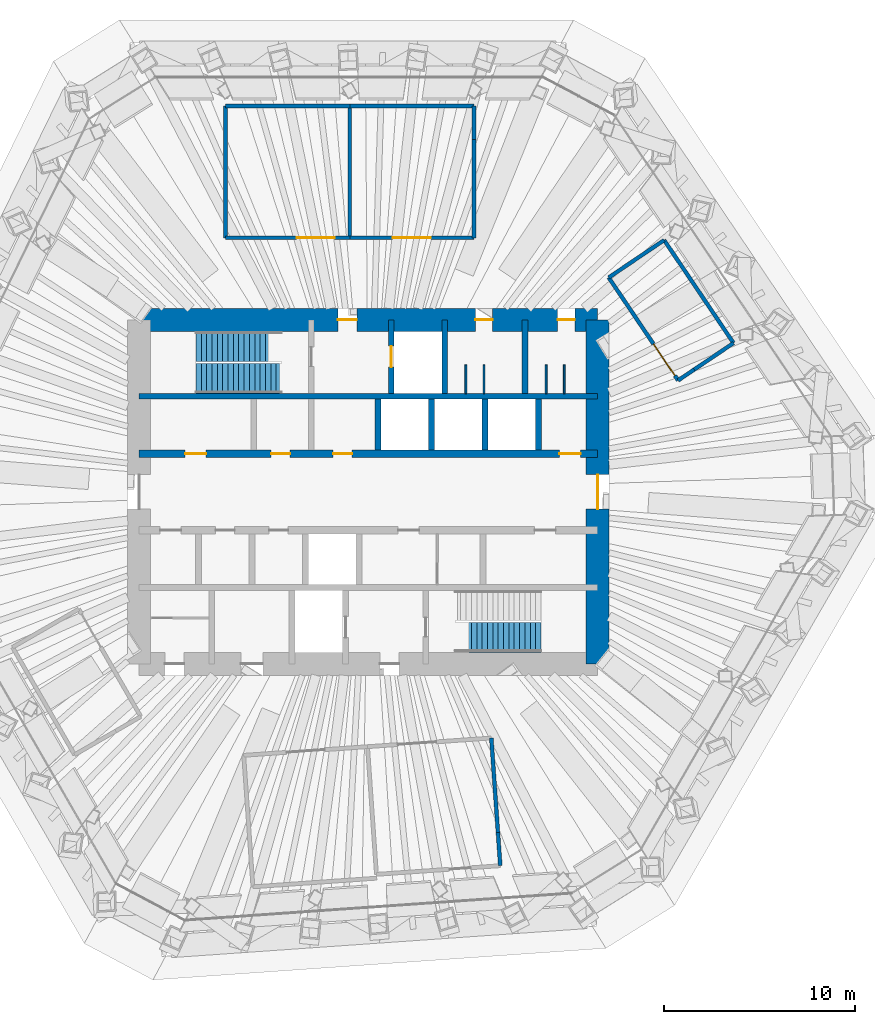
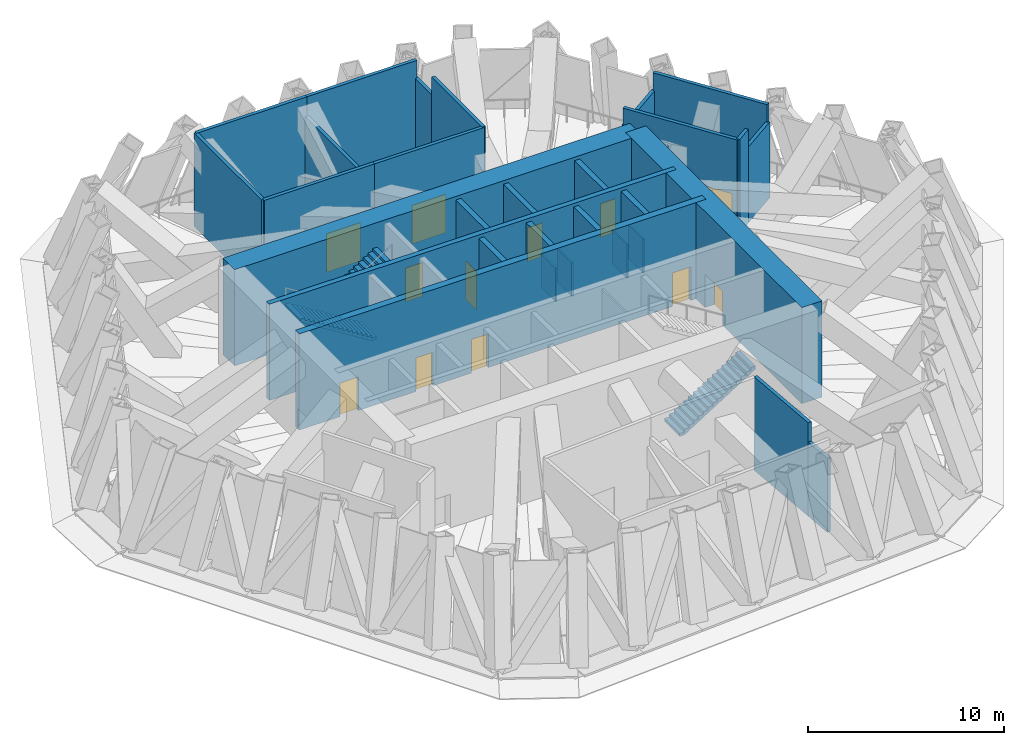
# One storey, part 8 of 12: 30 walls, 12 doors, 3 stair flights, 12 openings, 2 elements without a shape of their own.
"""IFC4 building model written with IfcOpenShell, lengths in metres."""

from ifc_helpers import new_model, si_unit, direction, frame, frame_2d, origin, place, context, subcontext, project, spatial, polyline, rectangle, outline, extrude, material, layer, layer_set, type_object, element, fill, aggregate, save


model = new_model("IFC4")

# Units and contexts
model_context = context("Model", 3, precision=1e-05, world=origin(), true_north=direction((0.0, 1.0)))
body_context = subcontext(model_context, "Body", "Model", "MODEL_VIEW")
ifc_project = project(units=[si_unit("LENGTHUNIT", "METRE"), si_unit("AREAUNIT", "SQUARE_METRE"), si_unit("VOLUMEUNIT", "CUBIC_METRE"), si_unit("PLANEANGLEUNIT", "RADIAN"), si_unit("MASSUNIT", "GRAM", prefix="KILO")], contexts=[model_context])

# Site, building, storey
site_placement = place(None, origin())
site = spatial("IfcSite", under=ifc_project, at=site_placement, CompositionType="ELEMENT")
building_placement = place(site_placement, origin())
building = spatial("IfcBuilding", under=site, at=building_placement, Name="Qingtian Harvest Tower", CompositionType="ELEMENT")
storey_placement = place(building_placement, frame((0.0, 0.0, 256.0)))
storey = spatial("IfcBuildingStorey", under=building, at=storey_placement, Name="L56", CompositionType="ELEMENT", Elevation=256.0)

# Wall
ifc_material_1 = material(Name="Concrete fc' 70 MPa", Category="concrete")
ifc_layer_1 = layer(ifc_material_1, 0.300048828125)
ifc_layer_set_1 = layer_set([ifc_layer_1], Name="Core inner wall RC5 300")
wall_type_1 = type_object("IfcWallType", Name="Core inner wall RC5 300", PredefinedType="SHEAR", material=ifc_layer_set_1)
wall_1_placement = place(storey_placement, frame((-12.0, 5.0, 0.0), z_axis=(0.0, 0.0, 1.0), x_axis=(1.0, 0.0, 0.0)))
element("IfcWall", 1, at=wall_1_placement, inside=storey, type_object=wall_type_1, Name="Core wall IN5 L56", PredefinedType="SHEAR", context=body_context, shape_type="SweptSolid", body=[
    extrude(rectangle(XDim=24.0, YDim=0.300048828125, at=frame_2d((12.0, 0.0))), origin(), (0.0, 0.0, 1.0), 6.0),
])

# Wall, openings, doors
ifc_material_2 = material(Name="Concrete fc' 70 MPa", Category="concrete")
ifc_layer_2 = layer(ifc_material_2, 0.39990234375)
ifc_layer_set_2 = layer_set([ifc_layer_2], Name="Core inner web RC6 400")
wall_type_2 = type_object("IfcWallType", Name="Core inner web RC6 400", PredefinedType="SHEAR", material=ifc_layer_set_2)
wall_2_placement = place(storey_placement, frame((-12.0, 2.0, 0.0), z_axis=(0.0, 0.0, 1.0), x_axis=(1.0, 0.0, 0.0)))
wall_2 = element("IfcWall", 2, at=wall_2_placement, inside=storey, type_object=wall_type_2, Name="Core wall IN2 L56", PredefinedType="SHEAR", context=body_context, shape_type="SweptSolid", body=[
    extrude(rectangle(XDim=24.0, YDim=0.39990234375, at=frame_2d((12.0, 0.0))), origin(), (0.0, 0.0, 1.0), 6.0),
])
opening_1_placement = place(wall_2_placement, frame((2.39990234375, 0.0, 0.0)))
opening_1 = element("IfcOpeningElement", 3, at=opening_1_placement, cuts=wall_2, Name="Opening FD4", PredefinedType="OPENING", context=body_context, shape_type="SweptSolid", body=[
    extrude(rectangle(XDim=1.10009765625, YDim=2.10009765625, at=frame_2d((0.550048828125, 1.050048828125))), frame((0.0, 0.2099609375, 0.0), z_axis=(0.0, -1.0, 0.0), x_axis=(1.0, 0.0, 0.0)), (0.0, 0.0, 1.0), 0.419921875),
])
opening_2_placement = place(wall_2_placement, frame((22.0, 0.0, 0.0)))
opening_2 = element("IfcOpeningElement", 4, at=opening_2_placement, cuts=wall_2, Name="Opening FD4", PredefinedType="OPENING", context=body_context, shape_type="SweptSolid", body=[
    extrude(rectangle(XDim=1.10009765625, YDim=2.10009765625, at=frame_2d((0.550048828125, 1.050048828125))), frame((0.0, 0.2099609375, 0.0), z_axis=(0.0, -1.0, 0.0), x_axis=(1.0, 0.0, 0.0)), (0.0, 0.0, 1.0), 0.419921875),
])
opening_3_placement = place(wall_2_placement, frame((10.14990234375, 0.0, 0.0)))
opening_3 = element("IfcOpeningElement", 5, at=opening_3_placement, cuts=wall_2, Name="Opening FD1", PredefinedType="OPENING", context=body_context, shape_type="SweptSolid", body=[
    extrude(rectangle(XDim=1.0, YDim=2.10009765625, at=frame_2d((0.5, 1.050048828125))), frame((0.0, 0.2099609375, 0.0), z_axis=(0.0, -1.0, 0.0), x_axis=(1.0, 0.0, 0.0)), (0.0, 0.0, 1.0), 0.419921875),
])
opening_4_placement = place(wall_2_placement, frame((6.89990234375, 0.0, 0.0)))
opening_4 = element("IfcOpeningElement", 6, at=opening_4_placement, cuts=wall_2, Name="Opening FD1", PredefinedType="OPENING", context=body_context, shape_type="SweptSolid", body=[
    extrude(rectangle(XDim=1.0, YDim=2.10009765625, at=frame_2d((0.5, 1.050048828125))), frame((0.0, 0.2099609375, 0.0), z_axis=(0.0, -1.0, 0.0), x_axis=(1.0, 0.0, 0.0)), (0.0, 0.0, 1.0), 0.419921875),
])
ifc_material_3 = material(Name="Steel-faced door leaf", Category="steel")
door_type_1 = type_object("IfcDoorType", Name="Fire door FD1 single 1 HR", OperationType="SINGLE_SWING_LEFT", PredefinedType="DOOR", material=ifc_material_3)
door_1_placement = place(opening_3_placement, origin())
door_1 = element("IfcDoor", 7, at=door_1_placement, inside=storey, type_object=door_type_1, Name="STA door L56", OperationType="SINGLE_SWING_RIGHT", OverallHeight=2.10009765625, OverallWidth=1.0, PredefinedType="DOOR", context=body_context, shape_type="SweptSolid", body=[
    extrude(rectangle(XDim=1.0, YDim=2.10009765625, at=frame_2d((0.5, 1.050048828125))), frame((0.0, 0.02490234375, 0.0), z_axis=(0.0, -1.0, 0.0), x_axis=(1.0, 0.0, 0.0)), (0.0, 0.0, 1.0), 0.050048828125),
])
fill(opening_3, door_1)
door_2_placement = place(opening_4_placement, origin())
door_2 = element("IfcDoor", 8, at=door_2_placement, inside=storey, type_object=door_type_1, Name="Spares store door L56", OperationType="SINGLE_SWING_LEFT", OverallHeight=2.10009765625, OverallWidth=1.0, PredefinedType="DOOR", context=body_context, shape_type="SweptSolid", body=[
    extrude(rectangle(XDim=1.0, YDim=2.10009765625, at=frame_2d((0.5, 1.050048828125))), frame((0.0, 0.02490234375, 0.0), z_axis=(0.0, -1.0, 0.0), x_axis=(1.0, 0.0, 0.0)), (0.0, 0.0, 1.0), 0.050048828125),
])
fill(opening_4, door_2)
ifc_material_4 = material(Name="Steel-faced door leaf", Category="steel")
door_type_2 = type_object("IfcDoorType", Name="Fire door FD4 single 2 HR", OperationType="SINGLE_SWING_LEFT", PredefinedType="DOOR", material=ifc_material_4)
door_3_placement = place(opening_1_placement, origin())
door_3 = element("IfcDoor", 9, at=door_3_placement, inside=storey, type_object=door_type_2, Name="RA door L56", OperationType="SINGLE_SWING_RIGHT", OverallHeight=2.10009765625, OverallWidth=1.10009765625, PredefinedType="DOOR", context=body_context, shape_type="SweptSolid", body=[
    extrude(rectangle(XDim=1.10009765625, YDim=2.10009765625, at=frame_2d((0.550048828125, 1.050048828125))), frame((0.0, 0.02490234375, 0.0), z_axis=(0.0, -1.0, 0.0), x_axis=(1.0, 0.0, 0.0)), (0.0, 0.0, 1.0), 0.050048828125),
])
fill(opening_1, door_3)
door_4_placement = place(opening_2_placement, origin())
door_4 = element("IfcDoor", 10, at=door_4_placement, inside=storey, type_object=door_type_2, Name="AHU door L56", OperationType="SINGLE_SWING_LEFT", OverallHeight=2.10009765625, OverallWidth=1.10009765625, PredefinedType="DOOR", context=body_context, shape_type="SweptSolid", body=[
    extrude(rectangle(XDim=1.10009765625, YDim=2.10009765625, at=frame_2d((0.550048828125, 1.050048828125))), frame((0.0, 0.02490234375, 0.0), z_axis=(0.0, -1.0, 0.0), x_axis=(1.0, 0.0, 0.0)), (0.0, 0.0, 1.0), 0.050048828125),
])
fill(opening_2, door_4)

# Wall, opening, door
ifc_material_5 = material(Name="Precast concrete shaft panel", Category="concrete")
ifc_layer_3 = layer(ifc_material_5, 0.300048828125)
ifc_layer_set_3 = layer_set([ifc_layer_3], Name="Core shaft partition SW1 300")
wall_type_3 = type_object("IfcWallType", Name="Core shaft partition SW1 300", PredefinedType="PARTITIONING", material=ifc_layer_set_3)
wall_3_placement = place(storey_placement, frame((1.199951171875, 5.14990234375, 0.0), z_axis=(0.0, 0.0, 1.0), x_axis=(0.0, 1.0, 0.0)))
wall_3 = element("IfcWall", 11, at=wall_3_placement, inside=storey, type_object=wall_type_3, Name="Core shaft partition XN2 L56", PredefinedType="PARTITIONING", context=body_context, shape_type="SweptSolid", body=[
    extrude(rectangle(XDim=3.85009765625, YDim=0.300048828125, at=frame_2d((1.925048828125, 0.0))), origin(), (0.0, 0.0, 1.0), 5.780029296875),
])
opening_5_placement = place(wall_3_placement, frame((1.375, 0.0, 0.0)))
opening_5 = element("IfcOpeningElement", 12, at=opening_5_placement, cuts=wall_3, Name="Opening LD1", PredefinedType="OPENING", context=body_context, shape_type="SweptSolid", body=[
    extrude(rectangle(XDim=1.10009765625, YDim=2.39990234375, at=frame_2d((0.550048828125, 1.199951171875))), frame((0.0, 0.159912109375, 0.0), z_axis=(0.0, -1.0, 0.0), x_axis=(1.0, 0.0, 0.0)), (0.0, 0.0, 1.0), 0.320068359375),
])
ifc_material_6 = material(Name="Stainless steel lift landing door", Category="steel")
door_type_3 = type_object("IfcDoorType", Name="Lift landing door LD1 1 HR", OperationType="DOUBLE_DOOR_SLIDING", PredefinedType="DOOR", material=ifc_material_6)
door_5_placement = place(opening_5_placement, origin())
door_5 = element("IfcDoor", 13, at=door_5_placement, inside=storey, type_object=door_type_3, Name="FL1 landing door L56", OperationType="DOUBLE_DOOR_SLIDING", OverallHeight=2.39990234375, OverallWidth=1.10009765625, PredefinedType="DOOR", context=body_context, shape_type="SweptSolid", body=[
    extrude(rectangle(XDim=1.10009765625, YDim=2.39990234375, at=frame_2d((0.550048828125, 1.199951171875))), frame((0.0, 0.02490234375, 0.0), z_axis=(0.0, -1.0, 0.0), x_axis=(1.0, 0.0, 0.0)), (0.0, 0.0, 1.0), 0.050048828125),
])
fill(opening_5, door_5)

# Walls
for number, where, z_axis, x_axis, name in (
    (14, (4.0, 5.14990234375, 0.0), (0.0, 0.0, 1.0), (0.0, 1.0, 0.0), "Core shaft partition XN3 L56"),
    (15, (8.199951171875, 5.14990234375, 0.0), (0.0, 0.0, 1.0), (0.0, 1.0, 0.0), "Core shaft partition XN4 L56"),
):
    element("IfcWall", number, at=place(storey_placement, frame(where, z_axis=z_axis, x_axis=x_axis)), inside=storey, type_object=wall_type_3, Name=name, PredefinedType="PARTITIONING", context=body_context, shape_type="SweptSolid", body=[
        extrude(rectangle(XDim=3.85009765625, YDim=0.300048828125, at=frame_2d((1.925048828125, 0.0))), origin(), (0.0, 0.0, 1.0), 5.780029296875),
    ])
for number, where, z_axis, x_axis, name in (
    (16, (0.5, 2.199951171875, 0.0), (0.0, 0.0, 1.0), (0.0, 1.0, 0.0), "Core shaft partition XA3 L56"),
    (17, (3.300048828125, 2.199951171875, 0.0), (0.0, 0.0, 1.0), (0.0, 1.0, 0.0), "Core shaft partition XA4 L56"),
    (18, (6.10009765625, 2.199951171875, 0.0), (0.0, 0.0, 1.0), (0.0, 1.0, 0.0), "Core shaft partition XA5 L56"),
    (19, (8.89990234375, 2.199951171875, 0.0), (0.0, 0.0, 1.0), (0.0, 1.0, 0.0), "Core shaft partition XA6 L56"),
):
    element("IfcWall", number, at=place(storey_placement, frame(where, z_axis=z_axis, x_axis=x_axis)), inside=storey, type_object=wall_type_3, Name=name, PredefinedType="PARTITIONING", context=body_context, shape_type="SweptSolid", body=[
        extrude(rectangle(XDim=2.650146484375, YDim=0.300048828125, at=frame_2d((1.3251953125, 0.0))), origin(), (0.0, 0.0, 1.0), 5.780029296875),
    ])

# Wall, openings, doors
ifc_material_7 = material(Name="Concrete fc' 70 MPa", Category="concrete")
ifc_layer_4 = layer(ifc_material_7, 1.199951171875)
ifc_layer_set_4 = layer_set([ifc_layer_4], Name="Core wall RC2 1200")
wall_type_4 = type_object("IfcWallType", Name="Core wall RC2 1200", PredefinedType="SHEAR", material=ifc_layer_set_4)
wall_4_placement = place(storey_placement, frame((-12.0, 9.0, 0.0), z_axis=(0.0, 0.0, 1.0), x_axis=(1.0, 0.0, 0.0)))
wall_4 = element("IfcWall", 20, at=wall_4_placement, inside=storey, type_object=wall_type_4, Name="Core wall CN L56", PredefinedType="SHEAR", context=body_context, shape_type="SweptSolid", body=[
    extrude(rectangle(XDim=24.0, YDim=1.199951171875, at=frame_2d((12.0, 0.0))), origin(), (0.0, 0.0, 1.0), 6.0),
])
opening_6_placement = place(wall_4_placement, frame((10.39990234375, 0.0, 0.0)))
opening_6 = element("IfcOpeningElement", 21, at=opening_6_placement, cuts=wall_4, Name="Opening FD1", PredefinedType="OPENING", context=body_context, shape_type="SweptSolid", body=[
    extrude(rectangle(XDim=1.0, YDim=2.10009765625, at=frame_2d((0.5, 1.050048828125))), frame((0.0, 0.60986328125, 0.0), z_axis=(0.0, -1.0, 0.0), x_axis=(1.0, 0.0, 0.0)), (0.0, 0.0, 1.0), 1.219970703125),
])
opening_7_placement = place(wall_4_placement, frame((17.60009765625, 0.0, 0.0)))
opening_7 = element("IfcOpeningElement", 22, at=opening_7_placement, cuts=wall_4, Name="Opening D1", PredefinedType="OPENING", context=body_context, shape_type="SweptSolid", body=[
    extrude(rectangle(XDim=0.89990234375, YDim=2.10009765625, at=frame_2d((0.449951171875, 1.050048828125))), frame((0.0, 0.60986328125, 0.0), z_axis=(0.0, -1.0, 0.0), x_axis=(1.0, 0.0, 0.0)), (0.0, 0.0, 1.0), 1.219970703125),
])
opening_8_placement = place(wall_4_placement, frame((21.89990234375, 0.0, 0.0)))
opening_8 = element("IfcOpeningElement", 23, at=opening_8_placement, cuts=wall_4, Name="Opening D1", PredefinedType="OPENING", context=body_context, shape_type="SweptSolid", body=[
    extrude(rectangle(XDim=0.89990234375, YDim=2.10009765625, at=frame_2d((0.449951171875, 1.050048828125))), frame((0.0, 0.60986328125, 0.0), z_axis=(0.0, -1.0, 0.0), x_axis=(1.0, 0.0, 0.0)), (0.0, 0.0, 1.0), 1.219970703125),
])
door_6_placement = place(opening_6_placement, origin())
door_6 = element("IfcDoor", 24, at=door_6_placement, inside=storey, type_object=door_type_1, Name="V1 door L56", OperationType="SINGLE_SWING_RIGHT", OverallHeight=2.10009765625, OverallWidth=1.0, PredefinedType="DOOR", context=body_context, shape_type="SweptSolid", body=[
    extrude(rectangle(XDim=1.0, YDim=2.10009765625, at=frame_2d((0.5, 1.050048828125))), frame((0.0, 0.02490234375, 0.0), z_axis=(0.0, -1.0, 0.0), x_axis=(1.0, 0.0, 0.0)), (0.0, 0.0, 1.0), 0.050048828125),
])
fill(opening_6, door_6)
ifc_material_8 = material(Name="Laminated timber door leaf", Category="wood")
door_type_4 = type_object("IfcDoorType", Name="Toilet door D1 single", OperationType="SINGLE_SWING_LEFT", PredefinedType="DOOR", material=ifc_material_8)
door_7_placement = place(opening_7_placement, origin())
door_7 = element("IfcDoor", 25, at=door_7_placement, inside=storey, type_object=door_type_4, Name="WCM door L56", OperationType="SINGLE_SWING_RIGHT", OverallHeight=2.10009765625, OverallWidth=0.89990234375, PredefinedType="DOOR", context=body_context, shape_type="SweptSolid", body=[
    extrude(rectangle(XDim=0.89990234375, YDim=2.10009765625, at=frame_2d((0.449951171875, 1.050048828125))), frame((0.0, 0.02490234375, 0.0), z_axis=(0.0, -1.0, 0.0), x_axis=(1.0, 0.0, 0.0)), (0.0, 0.0, 1.0), 0.050048828125),
])
fill(opening_7, door_7)
door_8_placement = place(opening_8_placement, origin())
door_8 = element("IfcDoor", 26, at=door_8_placement, inside=storey, type_object=door_type_4, Name="WCF door L56", OperationType="SINGLE_SWING_RIGHT", OverallHeight=2.10009765625, OverallWidth=0.89990234375, PredefinedType="DOOR", context=body_context, shape_type="SweptSolid", body=[
    extrude(rectangle(XDim=0.89990234375, YDim=2.10009765625, at=frame_2d((0.449951171875, 1.050048828125))), frame((0.0, 0.02490234375, 0.0), z_axis=(0.0, -1.0, 0.0), x_axis=(1.0, 0.0, 0.0)), (0.0, 0.0, 1.0), 0.050048828125),
])
fill(opening_8, door_8)

# Wall, opening, door
wall_5_placement = place(storey_placement, frame((12.0, -9.0, 0.0), z_axis=(0.0, 0.0, 1.0), x_axis=(0.0, 1.0, 0.0)))
wall_5 = element("IfcWall", 27, at=wall_5_placement, inside=storey, type_object=wall_type_4, Name="Core wall CE L56", PredefinedType="SHEAR", context=body_context, shape_type="SweptSolid", body=[
    extrude(rectangle(XDim=18.0, YDim=1.199951171875, at=frame_2d((9.0, 0.0))), origin(), (0.0, 0.0, 1.0), 6.0),
])
opening_9_placement = place(wall_5_placement, frame((8.10009765625, 0.0, 0.0)))
opening_9 = element("IfcOpeningElement", 28, at=opening_9_placement, cuts=wall_5, Name="Opening FD2", PredefinedType="OPENING", context=body_context, shape_type="SweptSolid", body=[
    extrude(rectangle(XDim=1.800048828125, YDim=2.10009765625, at=frame_2d((0.89990234375, 1.050048828125))), frame((0.0, 0.60986328125, 0.0), z_axis=(0.0, -1.0, 0.0), x_axis=(1.0, 0.0, 0.0)), (0.0, 0.0, 1.0), 1.219970703125),
])
ifc_material_9 = material(Name="Steel-faced door leaf", Category="steel")
door_type_5 = type_object("IfcDoorType", Name="Fire door FD2 double 1 HR", OperationType="DOUBLE_DOOR_DOUBLE_SWING", PredefinedType="DOOR", material=ifc_material_9)
door_9_placement = place(opening_9_placement, origin())
door_9 = element("IfcDoor", 29, at=door_9_placement, inside=storey, type_object=door_type_5, Name="LOBBY-E door L56", OperationType="DOUBLE_DOOR_DOUBLE_SWING", OverallHeight=2.10009765625, OverallWidth=1.800048828125, PredefinedType="DOOR", context=body_context, shape_type="SweptSolid", body=[
    extrude(rectangle(XDim=1.800048828125, YDim=2.10009765625, at=frame_2d((0.89990234375, 1.050048828125))), frame((0.0, 0.02490234375, 0.0), z_axis=(0.0, -1.0, 0.0), x_axis=(1.0, 0.0, 0.0)), (0.0, 0.0, 1.0), 0.050048828125),
])
fill(opening_9, door_9)

# Walls
ifc_material_10 = material(Name="Blockwork fire wall", Category="masonry")
ifc_layer_5 = layer(ifc_material_10, 0.199951171875)
ifc_layer_set_5 = layer_set([ifc_layer_5], Name="Fire partition FW1 200")
wall_type_5 = type_object("IfcWallType", Name="Fire partition FW1 200", PredefinedType="PARTITIONING", material=ifc_layer_set_5)
wall_6_placement = place(storey_placement, frame((-7.47412109375, 20.199951171875, 0.0), z_axis=(0.0, 0.0, 1.0), x_axis=(0.0, -1.0, 0.0)))
element("IfcWall", 30, at=wall_6_placement, inside=storey, type_object=wall_type_5, Name="Chilled water plant room wall L56", PredefinedType="PARTITIONING", context=body_context, shape_type="SweptSolid", body=[
    extrude(rectangle(XDim=6.89990234375, YDim=0.199951171875, at=frame_2d((3.449951171875, 0.0))), origin(), (0.0, 0.0, 1.0), 5.830078125),
])
wall_7_placement = place(storey_placement, frame((-0.978271484375, 20.199951171875, 0.0), z_axis=(0.0, 0.0, 1.0), x_axis=(0.0, -1.0, 0.0)))
element("IfcWall", 31, at=wall_7_placement, inside=storey, type_object=wall_type_5, Name="Chilled water plant room wall L56", PredefinedType="PARTITIONING", context=body_context, shape_type="SweptSolid", body=[
    extrude(rectangle(XDim=6.89990234375, YDim=0.199951171875, at=frame_2d((3.449951171875, 0.0))), origin(), (0.0, 0.0, 1.0), 4.6298828125),
])

# Wall, opening, door
wall_8_placement = place(storey_placement, frame((-7.47412109375, 13.300048828125, 0.0), z_axis=(0.0, 0.0, 1.0), x_axis=(1.0, 0.0, 0.0)))
wall_8 = element("IfcWall", 32, at=wall_8_placement, inside=storey, type_object=wall_type_5, Name="Chilled water plant room wall L56", PredefinedType="PARTITIONING", context=body_context, shape_type="SweptSolid", body=[
    extrude(rectangle(XDim=6.495849609375, YDim=0.199951171875, at=frame_2d((3.248046875, 0.0))), origin(), (0.0, 0.0, 1.0), 5.830078125),
])
opening_10_placement = place(wall_8_placement, frame((3.709716796875, 0.0, 0.0)))
opening_10 = element("IfcOpeningElement", 33, at=opening_10_placement, cuts=wall_8, Name="Opening FD3", PredefinedType="OPENING", context=body_context, shape_type="SweptSolid", body=[
    extrude(rectangle(XDim=2.0, YDim=2.39990234375, at=frame_2d((1.0, 1.199951171875))), frame((0.0, 0.10986328125, 0.0), z_axis=(0.0, -1.0, 0.0), x_axis=(1.0, 0.0, 0.0)), (0.0, 0.0, 1.0), 0.219970703125),
])
ifc_material_11 = material(Name="Steel-faced door leaf", Category="steel")
door_type_6 = type_object("IfcDoorType", Name="Fire door FD3 double 2 HR", OperationType="DOUBLE_DOOR_DOUBLE_SWING", PredefinedType="DOOR", material=ifc_material_11)
door_10_placement = place(opening_10_placement, origin())
door_10 = element("IfcDoor", 34, at=door_10_placement, inside=storey, type_object=door_type_6, Name="Chilled water plant room door L56", OperationType="DOUBLE_DOOR_DOUBLE_SWING", OverallHeight=2.39990234375, OverallWidth=2.0, PredefinedType="DOOR", context=body_context, shape_type="SweptSolid", body=[
    extrude(rectangle(XDim=2.0, YDim=2.39990234375, at=frame_2d((1.0, 1.199951171875))), frame((0.0, 0.02490234375, 0.0), z_axis=(0.0, -1.0, 0.0), x_axis=(1.0, 0.0, 0.0)), (0.0, 0.0, 1.0), 0.050048828125),
])
fill(opening_10, door_10)

# Wall
wall_9_placement = place(storey_placement, frame((5.517822265625, 20.199951171875, 0.0), z_axis=(0.0, 0.0, 1.0), x_axis=(0.0, -1.0, 0.0)))
element("IfcWall", 35, at=wall_9_placement, inside=storey, type_object=wall_type_5, Name="Heat exchanger plant room wall L56", PredefinedType="PARTITIONING", context=body_context, shape_type="SweptSolid", body=[
    extrude(rectangle(XDim=1.744873046875, YDim=0.199951171875, at=frame_2d((0.87255859375, 0.0))), origin(), (0.0, 0.0, 1.0), 4.72998046875),
])

# Wall, opening, door
wall_10_placement = place(storey_placement, frame((-0.978271484375, 13.300048828125, 0.0), z_axis=(0.0, 0.0, 1.0), x_axis=(1.0, 0.0, 0.0)))
wall_10 = element("IfcWall", 36, at=wall_10_placement, inside=storey, type_object=wall_type_5, Name="Heat exchanger plant room wall L56", PredefinedType="PARTITIONING", context=body_context, shape_type="SweptSolid", body=[
    extrude(rectangle(XDim=6.49609375, YDim=0.199951171875, at=frame_2d((3.248046875, 0.0))), origin(), (0.0, 0.0, 1.0), 5.830078125),
])
opening_11_placement = place(wall_10_placement, frame((2.248046875, 0.0, 0.0)))
opening_11 = element("IfcOpeningElement", 37, at=opening_11_placement, cuts=wall_10, Name="Opening FD3", PredefinedType="OPENING", context=body_context, shape_type="SweptSolid", body=[
    extrude(rectangle(XDim=2.0, YDim=2.39990234375, at=frame_2d((1.0, 1.199951171875))), frame((0.0, 0.10986328125, 0.0), z_axis=(0.0, -1.0, 0.0), x_axis=(1.0, 0.0, 0.0)), (0.0, 0.0, 1.0), 0.219970703125),
])
door_11_placement = place(opening_11_placement, origin())
door_11 = element("IfcDoor", 38, at=door_11_placement, inside=storey, type_object=door_type_6, Name="Heat exchanger plant room door L56", OperationType="DOUBLE_DOOR_DOUBLE_SWING", OverallHeight=2.39990234375, OverallWidth=2.0, PredefinedType="DOOR", context=body_context, shape_type="SweptSolid", body=[
    extrude(rectangle(XDim=2.0, YDim=2.39990234375, at=frame_2d((1.0, 1.199951171875))), frame((0.0, 0.02490234375, 0.0), z_axis=(0.0, -1.0, 0.0), x_axis=(1.0, 0.0, 0.0)), (0.0, 0.0, 1.0), 0.050048828125),
])
fill(opening_11, door_11)

# Walls
wall_11_placement = place(storey_placement, frame((6.899658203125, -19.56640625, 0.0), z_axis=(0.0, 0.0, 1.0), x_axis=(-0.069812387455, 0.997560138818, 0.0)))
element("IfcWall", 39, at=wall_11_placement, inside=storey, type_object=wall_type_5, Name="Pump plant room wall L56", PredefinedType="PARTITIONING", context=body_context, shape_type="SweptSolid", body=[
    extrude(rectangle(XDim=1.741455078125, YDim=0.199951171875, at=frame_2d((0.87060546875, 0.0))), origin(), (0.0, 0.0, 1.0), 4.6298828125),
])
wall_12_placement = place(storey_placement, frame((15.477294921875, 13.177490234375, 0.0), z_axis=(0.0, 0.0, 1.0), x_axis=(-0.82902249413, -0.559215257505, 0.0)))
element("IfcWall", 40, at=wall_12_placement, inside=storey, type_object=wall_type_5, Name="Water tank room wall L56", PredefinedType="PARTITIONING", context=body_context, shape_type="SweptSolid", body=[
    extrude(rectangle(XDim=3.5, YDim=0.199951171875, at=frame_2d((1.75, 0.0))), origin(), (0.0, 0.0, 1.0), 4.72998046875),
])
wall_13_placement = place(storey_placement, frame((19.10986328125, 7.7919921875, 0.0), z_axis=(0.0, 0.0, 1.0), x_axis=(-0.829029753585, -0.559204495396, 0.0)))
element("IfcWall", 41, at=wall_13_placement, inside=storey, type_object=wall_type_5, Name="Water tank room wall L56", PredefinedType="PARTITIONING", context=body_context, shape_type="SweptSolid", body=[
    extrude(rectangle(XDim=2.484619140625, YDim=0.199951171875, at=frame_2d((1.2421875, 0.0))), origin(), (0.0, 0.0, 1.0), 4.72998046875),
])

# Wall, opening, door
wall_14_placement = place(storey_placement, frame((12.57568359375, 11.22021484375, 0.0), z_axis=(0.0, 0.0, 1.0), x_axis=(0.559193332958, -0.829037282862, 0.0)))
wall_14 = element("IfcWall", 42, at=wall_14_placement, inside=storey, type_object=wall_type_5, Name="Water tank room wall L56", PredefinedType="PARTITIONING", context=body_context, shape_type="SweptSolid", body=[
    extrude(rectangle(XDim=6.49609375, YDim=0.199951171875, at=frame_2d((3.248046875, 0.0))), origin(), (0.0, 0.0, 1.0), 5.830078125),
])
opening_12_placement = place(wall_14_placement, frame((4.19677734375, 0.0, 0.0)))
opening_12 = element("IfcOpeningElement", 43, at=opening_12_placement, cuts=wall_14, Name="Opening FD3", PredefinedType="OPENING", context=body_context, shape_type="SweptSolid", body=[
    extrude(rectangle(XDim=2.0, YDim=2.39990234375, at=frame_2d((1.0, 1.199951171875))), frame((0.0, 0.10986328125, 0.0), z_axis=(0.0, -1.0, 0.0), x_axis=(1.0, 0.0, 0.0)), (0.0, 0.0, 1.0), 0.219970703125),
])
door_12_placement = place(opening_12_placement, origin())
door_12 = element("IfcDoor", 44, at=door_12_placement, inside=storey, type_object=door_type_6, Name="Water tank room door L56", OperationType="DOUBLE_DOOR_DOUBLE_SWING", OverallHeight=2.39990234375, OverallWidth=2.0, PredefinedType="DOOR", context=body_context, shape_type="SweptSolid", body=[
    extrude(rectangle(XDim=2.0, YDim=2.39990234375, at=frame_2d((1.0, 1.199951171875))), frame((0.0, 0.02490234375, 0.0), z_axis=(0.0, -1.0, 0.0), x_axis=(1.0, 0.0, 0.0)), (0.0, 0.0, 1.0), 0.050048828125),
])
fill(opening_12, door_12)

# Walls
wall_15_placement = place(storey_placement, frame((-7.47412109375, 20.199951171875, 0.0), z_axis=(0.0, 0.0, 1.0), x_axis=(1.0, 0.0, 0.0)))
element("IfcWall", 45, at=wall_15_placement, inside=storey, type_object=wall_type_5, Name="Chilled water plant room outer wall L56", PredefinedType="PARTITIONING", context=body_context, shape_type="SweptSolid", body=[
    extrude(rectangle(XDim=6.495849609375, YDim=0.199951171875, at=frame_2d((3.248046875, 0.0))), origin(), (0.0, 0.0, 1.0), 5.830078125),
])
for number, where, z_axis, x_axis, name in (
    (46, (-0.978271484375, 20.199951171875, 0.0), (0.0, 0.0, 1.0), (1.0, 0.0, 0.0), "Heat exchanger plant room outer wall L56"),
    (47, (15.477294921875, 13.177490234375, 0.0), (0.0, 0.0, 1.0), (0.559193332958, -0.829037282862, 0.0), "Water tank room outer wall L56"),
):
    element("IfcWall", number, at=place(storey_placement, frame(where, z_axis=z_axis, x_axis=x_axis)), inside=storey, type_object=wall_type_5, Name=name, PredefinedType="PARTITIONING", context=body_context, shape_type="SweptSolid", body=[
        extrude(rectangle(XDim=6.49609375, YDim=0.199951171875, at=frame_2d((3.248046875, 0.0))), origin(), (0.0, 0.0, 1.0), 5.830078125),
    ])
wall_16_placement = place(storey_placement, frame((5.517822265625, 18.455078125, 0.0), z_axis=(0.0, 0.0, 1.0), x_axis=(0.0, -1.0, 0.0)))
element("IfcWall", 48, at=wall_16_placement, inside=storey, type_object=wall_type_5, Name="Heat exchanger plant room wall L56", PredefinedType="PARTITIONING", context=body_context, shape_type="SweptSolid", body=[
    extrude(rectangle(XDim=5.155029296875, YDim=0.199951171875, at=frame_2d((2.57763671875, 0.0))), origin(), (0.0, 0.0, 1.0), 5.830078125),
])
wall_17_placement = place(storey_placement, frame((6.778076171875, -17.8291015625, 0.0), z_axis=(0.0, 0.0, 1.0), x_axis=(-0.069770330016, 0.997563081238, 0.0)))
element("IfcWall", 49, at=wall_17_placement, inside=storey, type_object=wall_type_5, Name="Pump plant room wall L56", PredefinedType="PARTITIONING", context=body_context, shape_type="SweptSolid", body=[
    extrude(rectangle(XDim=4.958251953125, YDim=0.199951171875, at=frame_2d((2.47900390625, 0.0))), origin(), (0.0, 0.0, 1.0), 5.830078125),
])
wall_18_placement = place(storey_placement, frame((17.050048828125, 6.402587890625, 0.0), z_axis=(0.0, 0.0, 1.0), x_axis=(-0.82900473073, -0.559241590394, 0.0)))
element("IfcWall", 50, at=wall_18_placement, inside=storey, type_object=wall_type_5, Name="Water tank room wall L56", PredefinedType="PARTITIONING", context=body_context, shape_type="SweptSolid", body=[
    extrude(rectangle(XDim=1.015380859375, YDim=0.199951171875, at=frame_2d((0.5078125, 0.0))), origin(), (0.0, 0.0, 1.0), 5.830078125),
])
ifc_material_12 = material(Name="Compact laminate cubicle partition", Category="plastic")
ifc_layer_6 = layer(ifc_material_12, 0.10009765625)
ifc_layer_set_6 = layer_set([ifc_layer_6], Name="WC cubicle partition WP1 100")
wall_type_6 = type_object("IfcWallType", Name="WC cubicle partition WP1 100", PredefinedType="PARTITIONING", material=ifc_layer_set_6)
for number, where, z_axis, x_axis, name in (
    (51, (5.10009765625, 5.14990234375, 0.0), (0.0, 0.0, 1.0), (0.0, 1.0, 0.0), "WC cubicle partition WCM L56"),
    (52, (6.050048828125, 5.14990234375, 0.0), (0.0, 0.0, 1.0), (0.0, 1.0, 0.0), "WC cubicle partition WCM L56"),
    (53, (9.300048828125, 5.14990234375, 0.0), (0.0, 0.0, 1.0), (0.0, 1.0, 0.0), "WC cubicle partition WCF L56"),
    (54, (10.25, 5.14990234375, 0.0), (0.0, 0.0, 1.0), (0.0, 1.0, 0.0), "WC cubicle partition WCF L56"),
):
    element("IfcWall", number, at=place(storey_placement, frame(where, z_axis=z_axis, x_axis=x_axis)), inside=storey, type_object=wall_type_6, Name=name, PredefinedType="PARTITIONING", context=body_context, shape_type="SweptSolid", body=[
        extrude(rectangle(XDim=1.5, YDim=0.10009765625, at=frame_2d((0.75, 0.0))), origin(), (0.0, 0.0, 1.0), 2.10009765625),
    ])

# Stair, stair flights
ifc_material_13 = material(Name="Concrete fc' 35 MPa", Category="concrete")
stair_type = type_object("IfcStairType", Name="Special stair ST5 6000", PredefinedType="HALF_TURN_STAIR", material=ifc_material_13)
stair_1_placement = place(storey_placement, origin())
stair_1 = element("IfcStair", 55, at=stair_1_placement, inside=storey, type_object=stair_type, Name="Special stair S1 L56", PredefinedType="HALF_TURN_STAIR")
ifc_material_14 = material(Name="Concrete fc' 35 MPa", Category="concrete")
stair_flight_type = type_object("IfcStairFlightType", Name="Stair flight SF5 6000", PredefinedType="STRAIGHT", material=ifc_material_14)
stair_flight_1_placement = place(storey_placement, frame((-4.550048828125, 7.612548828125, 0.0), z_axis=(0.0, 0.0, 1.0), x_axis=(-1.0, 0.0, 0.0)))
stair_flight_1 = element("IfcStairFlight", 56, at=stair_flight_1_placement, type_object=stair_flight_type, Name="S1 flight 1", NumberOfRisers=17, NumberOfTreads=16, PredefinedType="STRAIGHT", RiserHeight=0.176470588, TreadLength=0.28, context=body_context, shape_type="SweptSolid", body=[
    extrude(outline(polyline([(0.0, 0.0), (0.0, 0.176513671875), (0.280029296875, 0.176513671875), (0.280029296875, 0.35302734375), (0.56005859375, 0.35302734375), (0.56005859375, 0.529296875), (0.840087890625, 0.529296875), (0.840087890625, 0.705810546875), (1.1201171875, 0.705810546875), (1.1201171875, 0.88232421875), (1.39990234375, 0.88232421875), (1.39990234375, 1.058837890625), (1.679931640625, 1.058837890625), (1.679931640625, 1.2353515625), (1.9599609375, 1.2353515625), (1.9599609375, 1.411865234375), (2.239990234375, 1.411865234375), (2.239990234375, 1.588134765625), (2.52001953125, 1.588134765625), (2.52001953125, 1.7646484375), (2.800048828125, 1.7646484375), (2.800048828125, 1.941162109375), (3.080078125, 1.941162109375), (3.080078125, 2.11767578125), (3.360107421875, 2.11767578125), (3.360107421875, 2.294189453125), (3.639892578125, 2.294189453125), (3.639892578125, 2.470703125), (3.919921875, 2.470703125), (3.919921875, 2.64697265625), (4.199951171875, 2.64697265625), (4.199951171875, 2.823486328125), (4.47998046875, 2.823486328125), (4.47998046875, 3.0), (4.47998046875, 2.646240234375), (0.28125, 0.0), (0.0, 0.0)])), frame((0.0, 0.78759765625, 0.0), z_axis=(0.0, -1.0, 0.0), x_axis=(1.0, 0.0, 0.0)), (0.0, 0.0, 1.0), 1.574951171875),
])
stair_flight_2_placement = place(storey_placement, frame((-9.030029296875, 5.9375, 3.0), z_axis=(0.0, 0.0, 1.0), x_axis=(1.0, 0.0, 0.0)))
stair_flight_2 = element("IfcStairFlight", 57, at=stair_flight_2_placement, type_object=stair_flight_type, Name="S1 flight 2", NumberOfRisers=17, NumberOfTreads=16, PredefinedType="STRAIGHT", RiserHeight=0.176470588, TreadLength=0.28, context=body_context, shape_type="SweptSolid", body=[
    extrude(outline(polyline([(0.0, 0.0), (0.0, 0.176513671875), (0.280029296875, 0.176513671875), (0.280029296875, 0.35302734375), (0.56005859375, 0.35302734375), (0.56005859375, 0.529296875), (0.840087890625, 0.529296875), (0.840087890625, 0.705810546875), (1.1201171875, 0.705810546875), (1.1201171875, 0.88232421875), (1.39990234375, 0.88232421875), (1.39990234375, 1.058837890625), (1.679931640625, 1.058837890625), (1.679931640625, 1.2353515625), (1.9599609375, 1.2353515625), (1.9599609375, 1.411865234375), (2.239990234375, 1.411865234375), (2.239990234375, 1.588134765625), (2.52001953125, 1.588134765625), (2.52001953125, 1.7646484375), (2.800048828125, 1.7646484375), (2.800048828125, 1.941162109375), (3.080078125, 1.941162109375), (3.080078125, 2.11767578125), (3.360107421875, 2.11767578125), (3.360107421875, 2.294189453125), (3.639892578125, 2.294189453125), (3.639892578125, 2.470703125), (3.919921875, 2.470703125), (3.919921875, 2.64697265625), (4.199951171875, 2.64697265625), (4.199951171875, 2.823486328125), (4.47998046875, 2.823486328125), (4.47998046875, 3.0), (4.47998046875, 2.646240234375), (0.28125, 0.0), (0.0, 0.0)])), frame((0.0, 0.78759765625, 0.0), z_axis=(0.0, -1.0, 0.0), x_axis=(1.0, 0.0, 0.0)), (0.0, 0.0, 1.0), 1.574951171875),
])
aggregate(stair_1, [stair_flight_1, stair_flight_2])

# Stair, stair flight
stair_2_placement = place(storey_placement, origin())
stair_2 = element("IfcStair", 58, at=stair_2_placement, inside=storey, type_object=stair_type, Name="Special stair S2 L56", PredefinedType="HALF_TURN_STAIR")
stair_flight_3_placement = place(storey_placement, frame((4.550048828125, -7.612548828125, 0.0), z_axis=(0.0, 0.0, 1.0), x_axis=(1.0, 0.0, 0.0)))
stair_flight_3 = element("IfcStairFlight", 59, at=stair_flight_3_placement, type_object=stair_flight_type, Name="S2 flight 1", NumberOfRisers=17, NumberOfTreads=16, PredefinedType="STRAIGHT", RiserHeight=0.176470588, TreadLength=0.28, context=body_context, shape_type="SweptSolid", body=[
    extrude(outline(polyline([(0.0, 0.0), (0.0, 0.176513671875), (0.280029296875, 0.176513671875), (0.280029296875, 0.35302734375), (0.56005859375, 0.35302734375), (0.56005859375, 0.529296875), (0.840087890625, 0.529296875), (0.840087890625, 0.705810546875), (1.1201171875, 0.705810546875), (1.1201171875, 0.88232421875), (1.39990234375, 0.88232421875), (1.39990234375, 1.058837890625), (1.679931640625, 1.058837890625), (1.679931640625, 1.2353515625), (1.9599609375, 1.2353515625), (1.9599609375, 1.411865234375), (2.239990234375, 1.411865234375), (2.239990234375, 1.588134765625), (2.52001953125, 1.588134765625), (2.52001953125, 1.7646484375), (2.800048828125, 1.7646484375), (2.800048828125, 1.941162109375), (3.080078125, 1.941162109375), (3.080078125, 2.11767578125), (3.360107421875, 2.11767578125), (3.360107421875, 2.294189453125), (3.639892578125, 2.294189453125), (3.639892578125, 2.470703125), (3.919921875, 2.470703125), (3.919921875, 2.64697265625), (4.199951171875, 2.64697265625), (4.199951171875, 2.823486328125), (4.47998046875, 2.823486328125), (4.47998046875, 3.0), (4.47998046875, 2.646240234375), (0.28125, 0.0), (0.0, 0.0)])), frame((0.0, 0.78759765625, 0.0), z_axis=(0.0, -1.0, 0.0), x_axis=(1.0, 0.0, 0.0)), (0.0, 0.0, 1.0), 1.574951171875),
])
aggregate(stair_2, [stair_flight_3])

save(model, "model.ifc")
